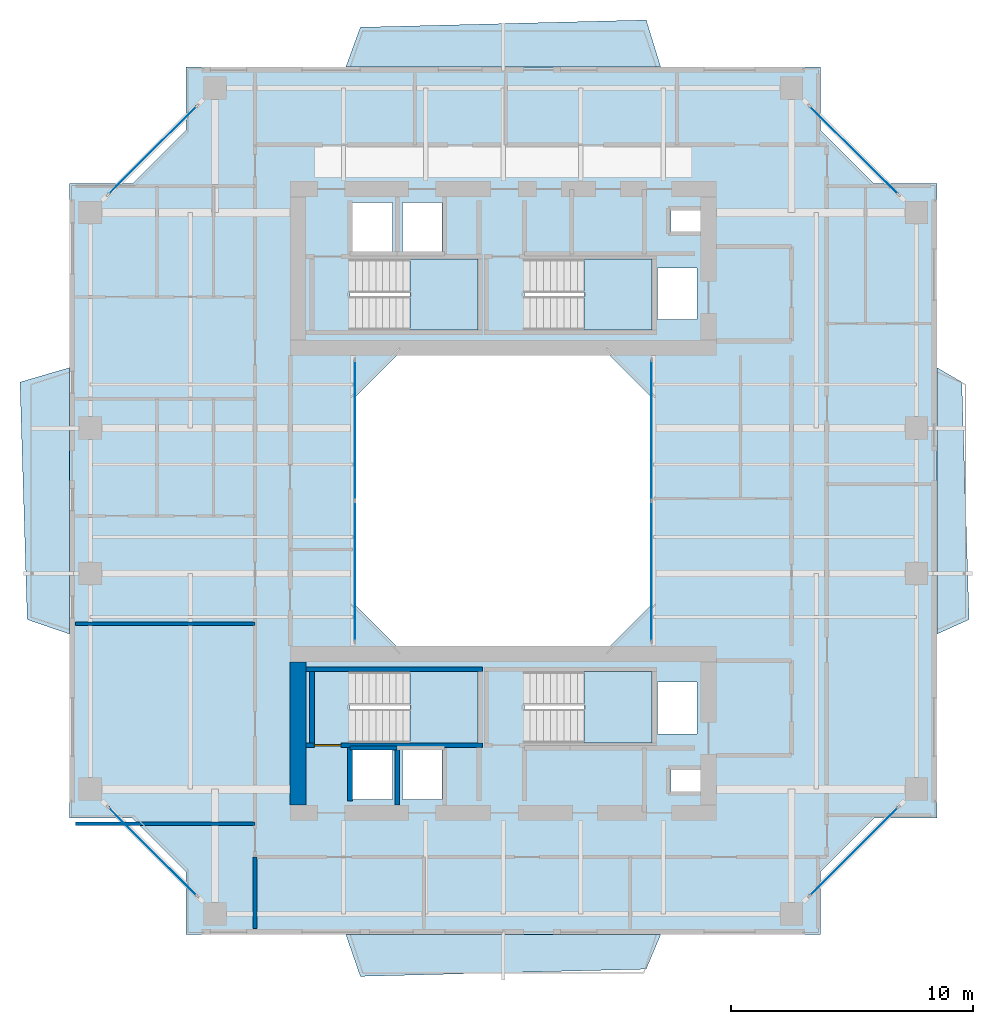
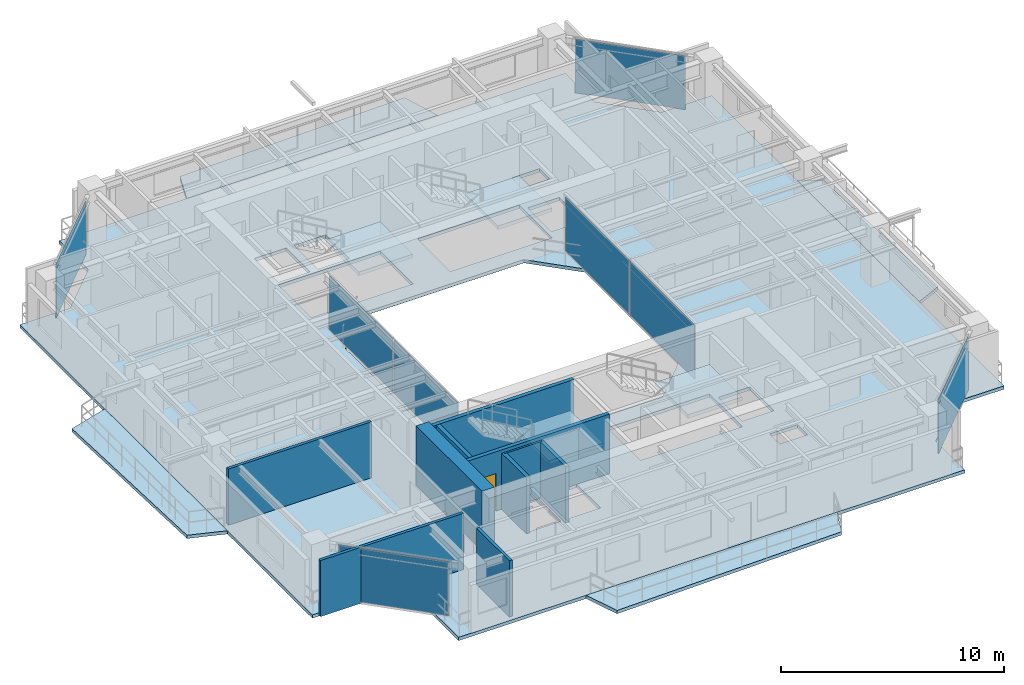
# One storey, part 10 of 18: 10 walls, 9 slabs, 8 plates, 1 door, 1 opening, 10 elements without a shape of their own.
"""IFC4 building model written with IfcOpenShell, lengths in metres."""

from ifc_helpers import new_model, si_unit, direction, frame, frame_2d, origin, origin_2d, place, context, subcontext, project, spatial, polyline, rectangle, outline, extrude, source, transform, mapped, material, layer, layer_set, type_object, element, fill, aggregate, save


model = new_model("IFC4")

# Units and contexts
model_context = context("Model", 3, precision=1e-05, world=origin(), true_north=direction((0.0, 1.0)))
body_context = subcontext(model_context, "Body", "Model", "MODEL_VIEW")
ifc_project = project(units=[si_unit("LENGTHUNIT", "METRE"), si_unit("AREAUNIT", "SQUARE_METRE"), si_unit("VOLUMEUNIT", "CUBIC_METRE"), si_unit("PLANEANGLEUNIT", "RADIAN"), si_unit("MASSUNIT", "GRAM", prefix="KILO"), si_unit("THERMODYNAMICTEMPERATUREUNIT", "KELVIN"), si_unit("POWERUNIT", "WATT")], contexts=[model_context])

# Site, building, storey
site_placement = place(None, origin())
site = spatial("IfcSite", under=ifc_project, at=site_placement, CompositionType="ELEMENT")
building_placement = place(site_placement, origin())
building = spatial("IfcBuilding", under=site, at=building_placement, Name="Qiaomeng Ring Towers", CompositionType="ELEMENT")
storey_placement = place(building_placement, frame((0.0, 0.0, 147.0)))
storey = spatial("IfcBuildingStorey", under=building, at=storey_placement, Name="L42", CompositionType="ELEMENT", Elevation=147.0)

# Slabs
ifc_material_1 = material(Name="Concrete C40", Category="concrete")
ifc_layer_1 = layer(ifc_material_1, 0.179931640625, Name="Concrete C40")
ifc_layer_set_1 = layer_set([ifc_layer_1], Name="Concrete C40")
slab_type_1 = type_object("IfcSlabType", Name="STR-SL-180", PredefinedType="FLOOR", material=ifc_layer_set_1)
slab_1_placement = place(storey_placement, frame((0.0, 0.0, -0.179931640625)))
element("IfcSlab", 1, at=slab_1_placement, inside=storey, type_object=slab_type_1, Name="L42 Tower 1 Annular Floor Slab", PredefinedType="FLOOR", context=body_context, shape_type="SweptSolid", body=[
    extrude(outline(polyline([(5.89990234375, 5.10009765625), (32.10009765625, 5.10009765625), (32.10009765625, 7.699951171875), (34.300048828125, 9.89990234375), (36.89990234375, 9.89990234375), (36.89990234375, 36.10009765625), (34.300048828125, 36.10009765625), (32.10009765625, 38.300048828125), (32.10009765625, 40.89990234375), (5.89990234375, 40.89990234375), (5.89990234375, 38.300048828125), (3.699951171875, 36.10009765625), (1.10009765625, 36.10009765625), (1.10009765625, 9.89990234375), (3.699951171875, 9.89990234375), (5.89990234375, 7.699951171875), (5.89990234375, 5.10009765625)]), holes=[polyline([(12.780029296875, 10.679931640625), (12.780029296875, 12.820068359375), (14.419921875, 12.820068359375), (14.419921875, 10.679931640625), (12.780029296875, 10.679931640625)]), polyline([(14.830078125, 12.820068359375), (16.469970703125, 12.820068359375), (16.469970703125, 10.679931640625), (14.830078125, 10.679931640625), (14.830078125, 12.820068359375)]), polyline([(12.679931640625, 15.949951171875), (17.949951171875, 15.949951171875), (17.949951171875, 13.010009765625), (12.679931640625, 13.010009765625), (12.679931640625, 15.949951171875)]), polyline([(23.199951171875, 29.199951171875), (25.199951171875, 27.199951171875), (25.199951171875, 18.800048828125), (23.199951171875, 16.800048828125), (14.800048828125, 16.800048828125), (12.800048828125, 18.800048828125), (12.800048828125, 27.199951171875), (14.800048828125, 29.199951171875), (23.199951171875, 29.199951171875)]), polyline([(12.679931640625, 32.989990234375), (17.949951171875, 32.989990234375), (17.949951171875, 30.050048828125), (12.679931640625, 30.050048828125), (12.679931640625, 32.989990234375)]), polyline([(12.780029296875, 35.320068359375), (14.419921875, 35.320068359375), (14.419921875, 33.179931640625), (12.780029296875, 33.179931640625), (12.780029296875, 35.320068359375)]), polyline([(14.830078125, 33.179931640625), (14.830078125, 35.320068359375), (16.469970703125, 35.320068359375), (16.469970703125, 33.179931640625), (14.830078125, 33.179931640625)]), polyline([(25.919921875, 11.89990234375), (27.360107421875, 11.89990234375), (27.360107421875, 11.0), (25.919921875, 11.0), (25.919921875, 11.89990234375)]), polyline([(25.360107421875, 15.52001953125), (27.0, 15.52001953125), (27.0, 13.3798828125), (25.360107421875, 13.3798828125), (25.360107421875, 15.52001953125)]), polyline([(19.8798828125, 15.949951171875), (25.14990234375, 15.949951171875), (25.14990234375, 13.010009765625), (19.8798828125, 13.010009765625), (19.8798828125, 15.949951171875)]), polyline([(19.8798828125, 32.989990234375), (25.14990234375, 32.989990234375), (25.14990234375, 30.050048828125), (19.8798828125, 30.050048828125), (19.8798828125, 32.989990234375)]), polyline([(25.360107421875, 32.6201171875), (27.0, 32.6201171875), (27.0, 30.47998046875), (25.360107421875, 30.47998046875), (25.360107421875, 32.6201171875)]), polyline([(25.919921875, 35.0), (27.360107421875, 35.0), (27.360107421875, 34.10009765625), (25.919921875, 34.10009765625), (25.919921875, 35.0)])]), origin(), (0.0, 0.0, 1.0), 0.179931640625),
])
ifc_layer_2 = layer(ifc_material_1, 0.179931640625, Name="Concrete C40")
ifc_layer_set_2 = layer_set([ifc_layer_2], Name="Concrete C40")
slab_type_2 = type_object("IfcSlabType", Name="STR-SL-BAL", PredefinedType="FLOOR", material=ifc_layer_set_2)
slab_2_placement = place(storey_placement, frame((0.0, 0.0, -0.179931640625)))
element("IfcSlab", 2, at=slab_2_placement, inside=storey, type_object=slab_type_2, Name="L42 Tower 1 S Faceted Balcony Slab", PredefinedType="FLOOR", context=body_context, shape_type="SweptSolid", body=[
    extrude(outline(polyline([(24.89990234375, 3.669921875), (13.10009765625, 3.3701171875), (12.5, 5.10009765625), (25.5, 5.10009765625), (24.89990234375, 3.669921875)])), origin(), (0.0, 0.0, 1.0), 0.179931640625),
])
slab_3_placement = place(storey_placement, frame((0.0, 0.0, -0.179931640625)))
element("IfcSlab", 3, at=slab_3_placement, inside=storey, type_object=slab_type_2, Name="L42 Tower 1 E Faceted Balcony Slab", PredefinedType="FLOOR", context=body_context, shape_type="SweptSolid", body=[
    extrude(outline(polyline([(37.929931640625, 27.89990234375), (38.22998046875, 18.10009765625), (36.89990234375, 17.5), (36.89990234375, 28.5), (37.929931640625, 27.89990234375)])), origin(), (0.0, 0.0, 1.0), 0.179931640625),
])
slab_4_placement = place(storey_placement, frame((0.0, 0.0, -0.179931640625)))
element("IfcSlab", 4, at=slab_4_placement, inside=storey, type_object=slab_type_2, Name="L42 Tower 1 N Faceted Balcony Slab", PredefinedType="FLOOR", context=body_context, shape_type="SweptSolid", body=[
    extrude(outline(polyline([(12.5, 40.89990234375), (13.10009765625, 42.550048828125), (24.89990234375, 42.85009765625), (25.5, 40.89990234375), (12.5, 40.89990234375)])), origin(), (0.0, 0.0, 1.0), 0.179931640625),
])
slab_5_placement = place(storey_placement, frame((0.0, 0.0, -0.179931640625)))
element("IfcSlab", 5, at=slab_5_placement, inside=storey, type_object=slab_type_2, Name="L42 Tower 1 W Faceted Balcony Slab", PredefinedType="FLOOR", context=body_context, shape_type="SweptSolid", body=[
    extrude(outline(polyline([(-0.64990234375, 18.10009765625), (-0.949951171875, 27.89990234375), (1.10009765625, 28.5), (1.10009765625, 17.5), (-0.64990234375, 18.10009765625)])), origin(), (0.0, 0.0, 1.0), 0.179931640625),
])

# Stair, slab
ifc_material_2 = material(Name="Precast concrete C40", Category="concrete")
stair_type = type_object("IfcStairType", Name="ARC-ST-325", PredefinedType="HALF_TURN_STAIR", material=ifc_material_2)
stair_1_placement = place(storey_placement, origin())
stair_1 = element("IfcStair", 6, at=stair_1_placement, inside=storey, type_object=stair_type, Name="L42 Tower 1 North Stair 1", PredefinedType="HALF_TURN_STAIR")
ifc_layer_3 = layer(ifc_material_1, 0.199951171875, Name="Concrete C40")
ifc_layer_set_3 = layer_set([ifc_layer_3], Name="Concrete C40")
slab_type_3 = type_object("IfcSlabType", Name="STR-SL-LANDING", PredefinedType="LANDING", material=ifc_layer_set_3)
slab_6_placement = place(storey_placement, frame((0.0, 0.0, 1.425048828125)))
slab_6 = element("IfcSlab", 7, at=slab_6_placement, type_object=slab_type_3, Name="ST1 landing 1", PredefinedType="LANDING", context=body_context, shape_type="SweptSolid", body=[
    extrude(outline(polyline([(15.139892578125, 30.050048828125), (17.949951171875, 30.050048828125), (17.949951171875, 32.989990234375), (15.139892578125, 32.989990234375), (15.139892578125, 30.050048828125)])), origin(), (0.0, 0.0, 1.0), 0.199951171875),
])
aggregate(stair_1, [slab_6])

stair_2_placement = place(storey_placement, origin())
stair_2 = element("IfcStair", 8, at=stair_2_placement, inside=storey, type_object=stair_type, Name="L42 Tower 1 North Stair 2", PredefinedType="HALF_TURN_STAIR")
slab_7_placement = place(storey_placement, frame((0.0, 0.0, 1.425048828125)))
slab_7 = element("IfcSlab", 9, at=slab_7_placement, type_object=slab_type_3, Name="ST2 landing 1", PredefinedType="LANDING", context=body_context, shape_type="SweptSolid", body=[
    extrude(outline(polyline([(22.340087890625, 30.050048828125), (25.14990234375, 30.050048828125), (25.14990234375, 32.989990234375), (22.340087890625, 32.989990234375), (22.340087890625, 30.050048828125)])), origin(), (0.0, 0.0, 1.0), 0.199951171875),
])
aggregate(stair_2, [slab_7])

stair_3_placement = place(storey_placement, origin())
stair_3 = element("IfcStair", 10, at=stair_3_placement, inside=storey, type_object=stair_type, Name="L42 Tower 1 South Stair 3", PredefinedType="HALF_TURN_STAIR")
slab_8_placement = place(storey_placement, frame((0.0, 0.0, 1.425048828125)))
slab_8 = element("IfcSlab", 11, at=slab_8_placement, type_object=slab_type_3, Name="ST3 landing 1", PredefinedType="LANDING", context=body_context, shape_type="SweptSolid", body=[
    extrude(outline(polyline([(15.139892578125, 13.010009765625), (17.949951171875, 13.010009765625), (17.949951171875, 15.949951171875), (15.139892578125, 15.949951171875), (15.139892578125, 13.010009765625)])), origin(), (0.0, 0.0, 1.0), 0.199951171875),
])
aggregate(stair_3, [slab_8])

stair_4_placement = place(storey_placement, origin())
stair_4 = element("IfcStair", 12, at=stair_4_placement, inside=storey, type_object=stair_type, Name="L42 Tower 1 South Stair 4", PredefinedType="HALF_TURN_STAIR")
slab_9_placement = place(storey_placement, frame((0.0, 0.0, 1.425048828125)))
slab_9 = element("IfcSlab", 13, at=slab_9_placement, type_object=slab_type_3, Name="ST4 landing 1", PredefinedType="LANDING", context=body_context, shape_type="SweptSolid", body=[
    extrude(outline(polyline([(22.340087890625, 13.010009765625), (25.14990234375, 13.010009765625), (25.14990234375, 15.949951171875), (22.340087890625, 15.949951171875), (22.340087890625, 13.010009765625)])), origin(), (0.0, 0.0, 1.0), 0.199951171875),
])
aggregate(stair_4, [slab_9])

# Curtain wall, plates
ifc_material_3 = material(Name="Fluorocarbon dark-grey aluminium", Category="aluminium")
ifc_layer_4 = layer(ifc_material_3, 0.139892578125, Name="Fluorocarbon dark-grey aluminium")
ifc_layer_set_4 = layer_set([ifc_layer_4], Name="Fluorocarbon dark-grey aluminium")
curtain_wall_type_1 = type_object("IfcCurtainWallType", Name="ARC-CW-4", PredefinedType="NOTDEFINED", material=ifc_layer_set_4)
curtain_wall_1_placement = place(storey_placement, origin())
curtain_wall_1 = element("IfcCurtainWall", 14, at=curtain_wall_1_placement, inside=storey, type_object=curtain_wall_type_1, Name="L42 Curtain Wall CW4", PredefinedType="NOTDEFINED")
ifc_material_4 = material(Name="Low-E dark-grey laminated double glazing", Category="glass")
ifc_layer_5 = layer(ifc_material_4, 0.028076171875, Name="Low-E dark-grey laminated double glazing")
ifc_layer_set_5 = layer_set([ifc_layer_5], Name="Low-E dark-grey laminated double glazing")
plate_type = type_object("IfcPlateType", Name="ARC-CWP-DARK", PredefinedType="CURTAIN_PANEL", material=ifc_layer_set_5)
shared_shape_1 = source(origin(), body_context, "Body", "SweptSolid", [
    extrude(rectangle(XDim=5.75244140625, YDim=0.028076171875, at=origin_2d()), origin(), (0.0, 0.0, 1.0), 2.93994140625),
])
plate_1_placement = place(storey_placement, frame((12.8798828125, 20.09130859375, 0.06494140625), z_axis=(0.0, 0.0, 1.0), x_axis=(0.0, 1.0, 0.0)))
plate_1 = element("IfcPlate", 15, at=plate_1_placement, type_object=plate_type, Name="CW4 panel 1.1", PredefinedType="CURTAIN_PANEL", context=body_context, shape_type="MappedRepresentation", body=[
    mapped(shared_shape_1, transform((0.0, 0.0, 0.0), x_axis=(1.0, 0.0, 0.0), y_axis=(0.0, 1.0, 0.0), z_axis=(0.0, 0.0, 1.0), scale=1.0)),
])
plate_2_placement = place(storey_placement, frame((12.8798828125, 25.90869140625, 0.06494140625), z_axis=(0.0, 0.0, 1.0), x_axis=(0.0, 1.0, 0.0)))
plate_2 = element("IfcPlate", 16, at=plate_2_placement, type_object=plate_type, Name="CW4 panel 2.1", PredefinedType="CURTAIN_PANEL", context=body_context, shape_type="MappedRepresentation", body=[
    mapped(shared_shape_1, transform((0.0, 0.0, 0.0), x_axis=(1.0, 0.0, 0.0), y_axis=(0.0, 1.0, 0.0), z_axis=(0.0, 0.0, 1.0), scale=1.0)),
])
aggregate(curtain_wall_1, [plate_1, plate_2])

curtain_wall_2_placement = place(storey_placement, origin())
curtain_wall_2 = element("IfcCurtainWall", 17, at=curtain_wall_2_placement, inside=storey, type_object=curtain_wall_type_1, Name="L42 Curtain Wall CW4", PredefinedType="NOTDEFINED")
plate_3_placement = place(storey_placement, frame((25.1201171875, 20.09130859375, 0.06494140625), z_axis=(0.0, 0.0, 1.0), x_axis=(0.0, 1.0, 0.0)))
plate_3 = element("IfcPlate", 18, at=plate_3_placement, type_object=plate_type, Name="CW4 panel 1.1", PredefinedType="CURTAIN_PANEL", context=body_context, shape_type="MappedRepresentation", body=[
    mapped(shared_shape_1, transform((0.0, 0.0, 0.0), x_axis=(1.0, 0.0, 0.0), y_axis=(0.0, 1.0, 0.0), z_axis=(0.0, 0.0, 1.0), scale=1.0)),
])
plate_4_placement = place(storey_placement, frame((25.1201171875, 25.90869140625, 0.06494140625), z_axis=(0.0, 0.0, 1.0), x_axis=(0.0, 1.0, 0.0)))
plate_4 = element("IfcPlate", 19, at=plate_4_placement, type_object=plate_type, Name="CW4 panel 2.1", PredefinedType="CURTAIN_PANEL", context=body_context, shape_type="MappedRepresentation", body=[
    mapped(shared_shape_1, transform((0.0, 0.0, 0.0), x_axis=(1.0, 0.0, 0.0), y_axis=(0.0, 1.0, 0.0), z_axis=(0.0, 0.0, 1.0), scale=1.0)),
])
aggregate(curtain_wall_2, [plate_3, plate_4])

# Curtain wall, plate
ifc_layer_6 = layer(ifc_material_3, 0.14990234375, Name="Fluorocarbon dark-grey aluminium")
ifc_layer_set_6 = layer_set([ifc_layer_6], Name="Fluorocarbon dark-grey aluminium")
curtain_wall_type_2 = type_object("IfcCurtainWallType", Name="ARC-CW-3", PredefinedType="NOTDEFINED", material=ifc_layer_set_6)
curtain_wall_3_placement = place(storey_placement, origin())
curtain_wall_3 = element("IfcCurtainWall", 20, at=curtain_wall_3_placement, inside=storey, type_object=curtain_wall_type_2, Name="L42 Curtain Wall CW3", PredefinedType="NOTDEFINED")
shared_shape_2 = source(origin(), body_context, "Body", "SweptSolid", [
    extrude(rectangle(XDim=5.120849609375, YDim=0.028076171875, at=origin_2d()), origin(), (0.0, 0.0, 1.0), 2.93994140625),
])
plate_5_placement = place(storey_placement, frame((33.47509765625, 8.52490234375, 0.06494140625), z_axis=(0.0, 0.0, 1.0), x_axis=(0.707106781187, 0.707106781187, 0.0)))
plate_5 = element("IfcPlate", 21, at=plate_5_placement, type_object=plate_type, Name="CW3 panel 1.1", PredefinedType="CURTAIN_PANEL", context=body_context, shape_type="MappedRepresentation", body=[
    mapped(shared_shape_2, transform((0.0, 0.0, 0.0), x_axis=(1.0, 0.0, 0.0), y_axis=(0.0, 1.0, 0.0), z_axis=(0.0, 0.0, 1.0), scale=1.0)),
])
aggregate(curtain_wall_3, [plate_5])

curtain_wall_4_placement = place(storey_placement, origin())
curtain_wall_4 = element("IfcCurtainWall", 22, at=curtain_wall_4_placement, inside=storey, type_object=curtain_wall_type_2, Name="L42 Curtain Wall CW3", PredefinedType="NOTDEFINED")
plate_6_placement = place(storey_placement, frame((33.47509765625, 37.47509765625, 0.06494140625), z_axis=(0.0, 0.0, 1.0), x_axis=(-0.707106781187, 0.707106781187, 0.0)))
plate_6 = element("IfcPlate", 23, at=plate_6_placement, type_object=plate_type, Name="CW3 panel 1.1", PredefinedType="CURTAIN_PANEL", context=body_context, shape_type="MappedRepresentation", body=[
    mapped(shared_shape_2, transform((0.0, 0.0, 0.0), x_axis=(1.0, 0.0, 0.0), y_axis=(0.0, 1.0, 0.0), z_axis=(0.0, 0.0, 1.0), scale=1.0)),
])
aggregate(curtain_wall_4, [plate_6])

curtain_wall_5_placement = place(storey_placement, origin())
curtain_wall_5 = element("IfcCurtainWall", 24, at=curtain_wall_5_placement, inside=storey, type_object=curtain_wall_type_2, Name="L42 Curtain Wall CW3", PredefinedType="NOTDEFINED")
plate_7_placement = place(storey_placement, frame((4.52490234375, 37.47509765625, 0.06494140625), z_axis=(0.0, 0.0, 1.0), x_axis=(-0.707106781187, -0.707106781187, 0.0)))
plate_7 = element("IfcPlate", 25, at=plate_7_placement, type_object=plate_type, Name="CW3 panel 1.1", PredefinedType="CURTAIN_PANEL", context=body_context, shape_type="MappedRepresentation", body=[
    mapped(shared_shape_2, transform((0.0, 0.0, 0.0), x_axis=(1.0, 0.0, 0.0), y_axis=(0.0, 1.0, 0.0), z_axis=(0.0, 0.0, 1.0), scale=1.0)),
])
aggregate(curtain_wall_5, [plate_7])

curtain_wall_6_placement = place(storey_placement, origin())
curtain_wall_6 = element("IfcCurtainWall", 26, at=curtain_wall_6_placement, inside=storey, type_object=curtain_wall_type_2, Name="L42 Curtain Wall CW3", PredefinedType="NOTDEFINED")
plate_8_placement = place(storey_placement, frame((4.52490234375, 8.52490234375, 0.06494140625), z_axis=(0.0, 0.0, 1.0), x_axis=(0.707106781187, -0.707106781187, 0.0)))
plate_8 = element("IfcPlate", 27, at=plate_8_placement, type_object=plate_type, Name="CW3 panel 1.1", PredefinedType="CURTAIN_PANEL", context=body_context, shape_type="MappedRepresentation", body=[
    mapped(shared_shape_2, transform((0.0, 0.0, 0.0), x_axis=(1.0, 0.0, 0.0), y_axis=(0.0, 1.0, 0.0), z_axis=(0.0, 0.0, 1.0), scale=1.0)),
])
aggregate(curtain_wall_6, [plate_8])

# Walls
ifc_material_5 = material(Name="Autoclaved aerated concrete block", Category="concrete")
ifc_layer_7 = layer(ifc_material_5, 0.199951171875, Name="Autoclaved aerated concrete block")
ifc_layer_set_7 = layer_set([ifc_layer_7], Name="Autoclaved aerated concrete block")
wall_type_1 = type_object("IfcWallType", Name="ARC-WL-PW1", PredefinedType="PARTITIONING", material=ifc_layer_set_7)
wall_1_placement = place(storey_placement, frame((12.679931640625, 10.60009765625, 0.0), z_axis=(0.0, 0.0, 1.0), x_axis=(0.0, 1.0, 0.0)))
element("IfcWall", 28, at=wall_1_placement, inside=storey, type_object=wall_type_1, Name="L42 Interior Wall PW1", PredefinedType="PARTITIONING", context=body_context, shape_type="SweptSolid", body=[
    extrude(rectangle(XDim=2.2099609375, YDim=0.199951171875, at=frame_2d((1.10498046875, 0.0))), origin(), (0.0, 0.0, 1.0), 3.070068359375),
])
ifc_material_6 = material(Name="Gypsum fireboard steel-stud partition", Category="steel")
ifc_layer_8 = layer(ifc_material_6, 0.14990234375, Name="Gypsum fireboard steel-stud partition")
ifc_layer_set_8 = layer_set([ifc_layer_8], Name="Gypsum fireboard steel-stud partition")
wall_type_2 = type_object("IfcWallType", Name="ARC-WL-PW3", PredefinedType="PARTITIONING", material=ifc_layer_set_8)
wall_2_placement = place(storey_placement, frame((8.75, 5.35009765625, 0.0), z_axis=(0.0, 0.0, 1.0), x_axis=(0.0, 1.0, 0.0)))
element("IfcWall", 29, at=wall_2_placement, inside=storey, type_object=wall_type_2, Name="L42 Interior Wall PW3", PredefinedType="PARTITIONING", context=body_context, shape_type="SweptSolid", body=[
    extrude(rectangle(XDim=2.949951171875, YDim=0.14990234375, at=frame_2d((1.47509765625, 0.0))), origin(), (0.0, 0.0, 1.0), 3.070068359375),
])
for number, where, z_axis, x_axis, name in (
    (30, (1.35009765625, 9.669921875, 0.0), (0.0, 0.0, 1.0), (1.0, 0.0, 0.0), "L42 Interior Wall PW3"),
    (31, (1.35009765625, 17.929931640625, 0.0), (0.0, 0.0, 1.0), (1.0, 0.0, 0.0), "L42 Interior Wall PW3"),
):
    element("IfcWall", number, at=place(storey_placement, frame(where, z_axis=z_axis, x_axis=x_axis)), inside=storey, type_object=wall_type_2, Name=name, PredefinedType="PARTITIONING", context=body_context, shape_type="SweptSolid", body=[
        extrude(rectangle(XDim=7.39990234375, YDim=0.14990234375, at=frame_2d((3.699951171875, 0.0))), origin(), (0.0, 0.0, 1.0), 3.070068359375),
    ])
ifc_layer_9 = layer(ifc_material_1, 0.199951171875, Name="Concrete C40")
ifc_layer_set_9 = layer_set([ifc_layer_9], Name="Concrete C40")
wall_type_3 = type_object("IfcWallType", Name="STR-WL-STSHAFT", PredefinedType="SHEAR", material=ifc_layer_set_9)
wall_3_placement = place(storey_placement, frame((12.679931640625, 12.800048828125, 0.0), z_axis=(0.0, 0.0, 1.0), x_axis=(1.0, 0.0, 0.0)))
element("IfcWall", 32, at=wall_3_placement, inside=storey, type_object=wall_type_3, Name="L42 Lift LP6 Shaft Back Wall", PredefinedType="SHEAR", context=body_context, shape_type="SweptSolid", body=[
    extrude(rectangle(XDim=1.940185546875, YDim=0.179931640625, at=frame_2d((0.97021484375, 0.0))), origin(), (0.0, 0.0, 1.0), 3.070068359375),
])
wall_4_placement = place(storey_placement, frame((14.6201171875, 10.449951171875, 0.0), z_axis=(0.0, 0.0, 1.0), x_axis=(0.0, 1.0, 0.0)))
element("IfcWall", 33, at=wall_4_placement, inside=storey, type_object=wall_type_3, Name="L42 Lift LP6-LP4 Shaft Divider Wall", PredefinedType="SHEAR", context=body_context, shape_type="SweptSolid", body=[
    extrude(rectangle(XDim=2.35009765625, YDim=0.179931640625, at=frame_2d((1.175048828125, 0.0))), origin(), (0.0, 0.0, 1.0), 3.070068359375),
])

# Wall, opening, door
wall_5_placement = place(storey_placement, frame((10.85009765625, 12.909912109375, 0.0), z_axis=(0.0, 0.0, 1.0), x_axis=(1.0, 0.0, 0.0)))
wall_5 = element("IfcWall", 34, at=wall_5_placement, inside=storey, type_object=wall_type_3, Name="L42 Stair ST3 South Shaft Shear Wall", PredefinedType="SHEAR", context=body_context, shape_type="SweptSolid", body=[
    extrude(rectangle(XDim=7.2998046875, YDim=0.199951171875, at=frame_2d((3.64990234375, 0.0))), origin(), (0.0, 0.0, 1.0), 3.25),
])
opening_placement = place(wall_5_placement, frame((0.35009765625, 0.0, 0.0)))
opening = element("IfcOpeningElement", 35, at=opening_placement, cuts=wall_5, Name="Opening FD3", PredefinedType="OPENING", context=body_context, shape_type="SweptSolid", body=[
    extrude(rectangle(XDim=1.10009765625, YDim=2.050048828125, at=frame_2d((0.550048828125, 1.02490234375))), frame((0.0, 0.10986328125, 0.0), z_axis=(0.0, -1.0, 0.0), x_axis=(1.0, 0.0, 0.0)), (0.0, 0.0, 1.0), 0.219970703125),
])
ifc_material_7 = material(Name="Galvanised steel", Category="steel")
door_type = type_object("IfcDoorType", Name="ARC-DR-FD3", OperationType="NOTDEFINED", PredefinedType="DOOR", material=ifc_material_7)
shared_shape_3 = source(origin(), body_context, "Body", "SweptSolid", [
    extrude(rectangle(XDim=1.10009765625, YDim=2.050048828125, at=frame_2d((0.550048828125, 1.02490234375))), frame((0.0, 0.02490234375, 0.0), z_axis=(0.0, -1.0, 0.0), x_axis=(1.0, 0.0, 0.0)), (0.0, 0.0, 1.0), 0.050048828125),
])
door_placement = place(opening_placement, frame((1.10009765625, 0.0, 0.0), z_axis=(0.0, 0.0, 1.0), x_axis=(-1.0, 0.0, 0.0)))
door = element("IfcDoor", 36, at=door_placement, inside=storey, type_object=door_type, Name="L42 Stair ST3 Exit Door", OperationType="SINGLE_SWING_LEFT", OverallHeight=2.050048828125, OverallWidth=1.10009765625, PredefinedType="DOOR", context=body_context, shape_type="MappedRepresentation", body=[
    mapped(shared_shape_3, transform((0.0, 0.0, 0.0), x_axis=(1.0, 0.0, 0.0), y_axis=(0.0, 1.0, 0.0), z_axis=(0.0, 0.0, 1.0), scale=1.0)),
])
fill(opening, door)

# Walls
wall_6_placement = place(storey_placement, frame((10.85009765625, 16.050048828125, 0.0), z_axis=(0.0, 0.0, 1.0), x_axis=(1.0, 0.0, 0.0)))
element("IfcWall", 37, at=wall_6_placement, inside=storey, type_object=wall_type_3, Name="L42 Stair ST3 North Shaft Shear Wall", PredefinedType="SHEAR", context=body_context, shape_type="SweptSolid", body=[
    extrude(rectangle(XDim=7.2998046875, YDim=0.199951171875, at=frame_2d((3.64990234375, 0.0))), origin(), (0.0, 0.0, 1.0), 3.25),
])
wall_7_placement = place(storey_placement, frame((11.10009765625, 13.010009765625, 0.0), z_axis=(0.0, 0.0, 1.0), x_axis=(0.0, 1.0, 0.0)))
element("IfcWall", 38, at=wall_7_placement, inside=storey, type_object=wall_type_3, Name="L42 Stair ST3 West Shaft Shear Wall", PredefinedType="SHEAR", context=body_context, shape_type="SweptSolid", body=[
    extrude(rectangle(XDim=2.93994140625, YDim=0.199951171875, at=frame_2d((1.469970703125, 0.0))), origin(), (0.0, 0.0, 1.0), 3.25),
])
ifc_material_8 = material(Name="Concrete C50", Category="concrete")
ifc_layer_10 = layer(ifc_material_8, 0.64990234375, Name="Concrete C50")
ifc_layer_set_10 = layer_set([ifc_layer_10], Name="Concrete C50")
wall_type_4 = type_object("IfcWallType", Name="STR-WL-SW2B", PredefinedType="SHEAR", material=ifc_layer_set_10)
wall_8_placement = place(storey_placement, frame((10.52490234375, 10.449951171875, 0.0), z_axis=(0.0, 0.0, 1.0), x_axis=(0.0, 1.0, 0.0)))
element("IfcWall", 39, at=wall_8_placement, inside=storey, type_object=wall_type_4, Name="L42 T1SC west core shear wall", PredefinedType="SHEAR", context=body_context, shape_type="SweptSolid", body=[
    extrude(rectangle(XDim=5.900146484375, YDim=0.64990234375, at=frame_2d((2.9501953125, 0.0))), origin(), (0.0, 0.0, 1.0), 3.25),
])

save(model, "model.ifc")
